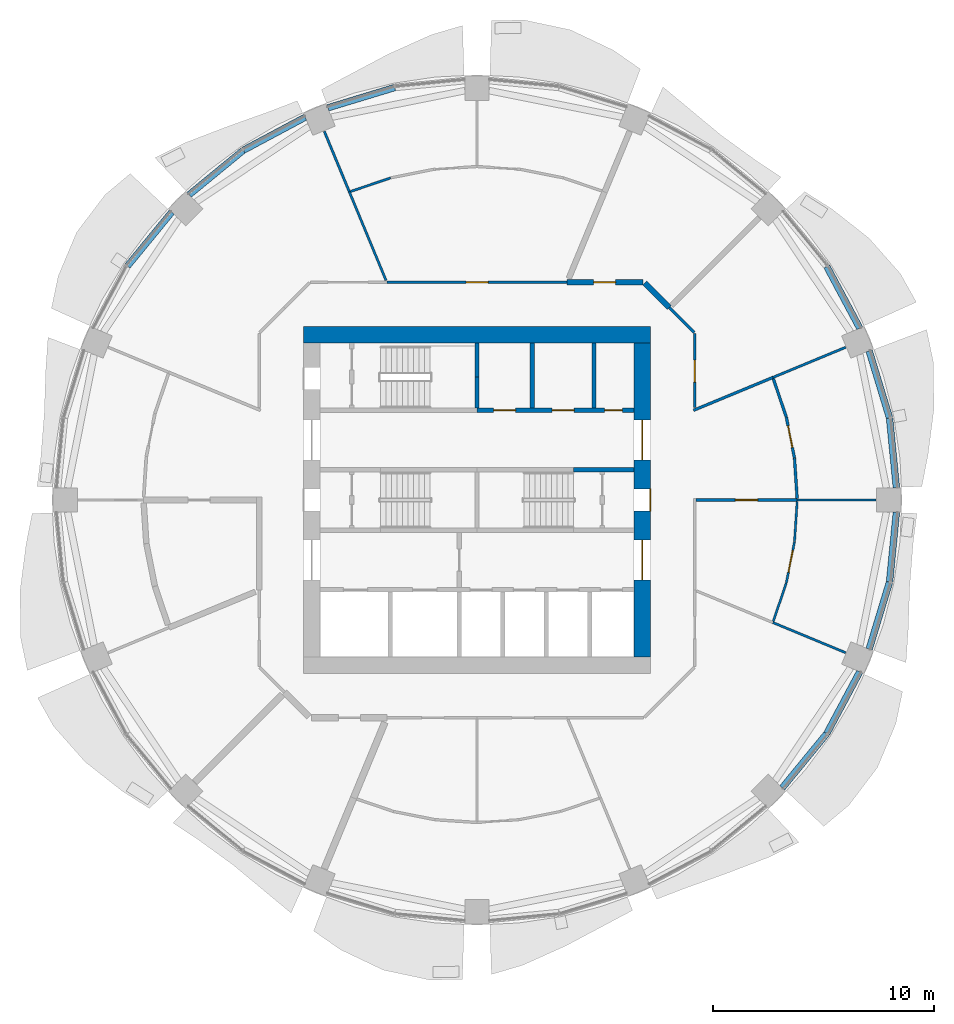
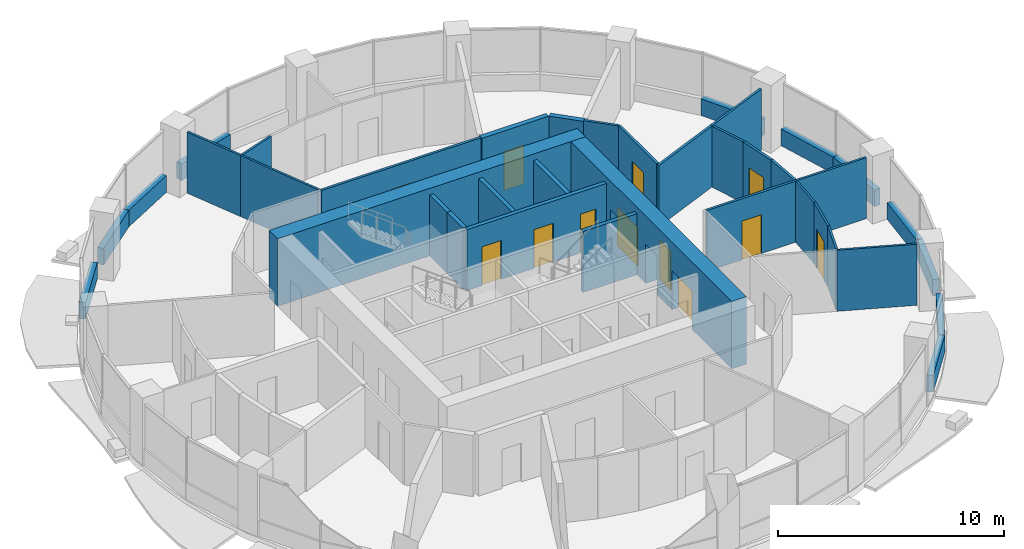
# One storey, part 9 of 14: 38 walls, 12 doors, 12 openings.
"""IFC4 building model written with IfcOpenShell, lengths in metres."""

from ifc_helpers import new_model, si_unit, direction, frame, frame_2d, origin, place, context, subcontext, project, spatial, rectangle, extrude, material, layer, layer_set, type_object, element, fill, save


model = new_model("IFC4")

# Units and contexts
model_context = context("Model", 3, precision=1e-05, world=origin(), true_north=direction((0.0, 1.0)))
body_context = subcontext(model_context, "Body", "Model", "MODEL_VIEW")
ifc_project = project(units=[si_unit("LENGTHUNIT", "METRE"), si_unit("AREAUNIT", "SQUARE_METRE"), si_unit("VOLUMEUNIT", "CUBIC_METRE"), si_unit("PLANEANGLEUNIT", "RADIAN"), si_unit("MASSUNIT", "GRAM", prefix="KILO")], contexts=[model_context])

# Site, building, storey
site_placement = place(None, origin())
site = spatial("IfcSite", under=ifc_project, at=site_placement, CompositionType="ELEMENT")
building_placement = place(site_placement, origin())
building = spatial("IfcBuilding", under=site, at=building_placement, Name="Polderwave Tower", CompositionType="ELEMENT")
storey_placement = place(building_placement, frame((0.0, 0.0, 101.949951171875)))
storey = spatial("IfcBuildingStorey", under=building, at=storey_placement, Name="L26", CompositionType="ELEMENT", Elevation=101.949951171875)

# Wall
ifc_material_1 = material(Name="Concrete C70/85", Category="concrete")
ifc_layer_1 = layer(ifc_material_1, 0.75)
ifc_layer_set_1 = layer_set([ifc_layer_1], Name="CORE WALL 750 C70/85")
wall_type_1 = type_object("IfcWallType", Name="CORE WALL 750 C70/85", PredefinedType="SHEAR", material=ifc_layer_set_1)
wall_1_placement = place(storey_placement, frame((-7.8740234375, 7.4990234375, 0.0), z_axis=(0.0, 0.0, 1.0), x_axis=(1.0, 0.0, 0.0)))
element("IfcWall", 1, at=wall_1_placement, inside=storey, type_object=wall_type_1, Name="ST-CORE-L26-N", PredefinedType="SHEAR", context=body_context, shape_type="SweptSolid", body=[
    extrude(rectangle(XDim=15.748046875, YDim=0.75, at=frame_2d((7.8740234375, 0.0))), origin(), (0.0, 0.0, 1.0), 3.650146484375),
])

# Wall, openings, doors
wall_2_placement = place(storey_placement, frame((7.4990234375, -7.1240234375, 0.0), z_axis=(0.0, 0.0, 1.0), x_axis=(0.0, 1.0, 0.0)))
wall_2 = element("IfcWall", 2, at=wall_2_placement, inside=storey, type_object=wall_type_1, Name="ST-CORE-L26-E", PredefinedType="SHEAR", context=body_context, shape_type="SweptSolid", body=[
    extrude(rectangle(XDim=14.248046875, YDim=0.75, at=frame_2d((7.1240234375, 0.0))), origin(), (0.0, 0.0, 1.0), 3.650146484375),
])
opening_1_placement = place(wall_2_placement, frame((6.6240234375, 0.0, 0.0)))
opening_1 = element("IfcOpeningElement", 3, at=opening_1_placement, cuts=wall_2, Name="Opening L26-D21", PredefinedType="OPENING", context=body_context, shape_type="SweptSolid", body=[
    extrude(rectangle(XDim=1.0, YDim=2.10009765625, at=frame_2d((0.5, 1.050048828125))), frame((0.0, 0.385009765625, 0.0), z_axis=(0.0, -1.0, 0.0), x_axis=(1.0, 0.0, 0.0)), (0.0, 0.0, 1.0), 0.77001953125),
])
opening_2_placement = place(wall_2_placement, frame((3.49951171875, 0.0, 0.0)))
opening_2 = element("IfcOpeningElement", 4, at=opening_2_placement, cuts=wall_2, Name="Opening L26-D22", PredefinedType="OPENING", context=body_context, shape_type="SweptSolid", body=[
    extrude(rectangle(XDim=1.800048828125, YDim=2.10009765625, at=frame_2d((0.89990234375, 1.050048828125))), frame((0.0, 0.385009765625, 0.0), z_axis=(0.0, -1.0, 0.0), x_axis=(1.0, 0.0, 0.0)), (0.0, 0.0, 1.0), 0.77001953125),
])
opening_3_placement = place(wall_2_placement, frame((8.948486328125, 0.0, 0.0)))
opening_3 = element("IfcOpeningElement", 5, at=opening_3_placement, cuts=wall_2, Name="Opening L26-D23", PredefinedType="OPENING", context=body_context, shape_type="SweptSolid", body=[
    extrude(rectangle(XDim=1.800048828125, YDim=2.10009765625, at=frame_2d((0.89990234375, 1.050048828125))), frame((0.0, 0.385009765625, 0.0), z_axis=(0.0, -1.0, 0.0), x_axis=(1.0, 0.0, 0.0)), (0.0, 0.0, 1.0), 0.77001953125),
])
ifc_material_2 = material(Name="Steel fire door", Category="steel")
door_type_1 = type_object("IfcDoorType", Name="Lobby entry door pair 1800", OperationType="DOUBLE_DOOR_SINGLE_SWING", PredefinedType="DOOR", material=ifc_material_2)
door_1_placement = place(opening_2_placement, frame((1.800048828125, 0.0, 0.0), z_axis=(0.0, 0.0, 1.0), x_axis=(-1.0, 0.0, 0.0)))
door_1 = element("IfcDoor", 6, at=door_1_placement, inside=storey, type_object=door_type_1, Name="South lobby entry door", OperationType="DOUBLE_DOOR_SINGLE_SWING", OverallHeight=2.10009765625, OverallWidth=1.800048828125, PredefinedType="DOOR", context=body_context, shape_type="SweptSolid", body=[
    extrude(rectangle(XDim=1.800048828125, YDim=2.10009765625, at=frame_2d((0.89990234375, 1.050048828125))), frame((0.0, 0.02490234375, 0.0), z_axis=(0.0, -1.0, 0.0), x_axis=(1.0, 0.0, 0.0)), (0.0, 0.0, 1.0), 0.050048828125),
])
fill(opening_2, door_1)
door_2_placement = place(opening_3_placement, frame((1.800048828125, 0.0, 0.0), z_axis=(0.0, 0.0, 1.0), x_axis=(-1.0, 0.0, 0.0)))
door_2 = element("IfcDoor", 7, at=door_2_placement, inside=storey, type_object=door_type_1, Name="North lobby entry door", OperationType="DOUBLE_DOOR_SINGLE_SWING", OverallHeight=2.10009765625, OverallWidth=1.800048828125, PredefinedType="DOOR", context=body_context, shape_type="SweptSolid", body=[
    extrude(rectangle(XDim=1.800048828125, YDim=2.10009765625, at=frame_2d((0.89990234375, 1.050048828125))), frame((0.0, 0.02490234375, 0.0), z_axis=(0.0, -1.0, 0.0), x_axis=(1.0, 0.0, 0.0)), (0.0, 0.0, 1.0), 0.050048828125),
])
fill(opening_3, door_2)
door_type_2 = type_object("IfcDoorType", Name="Stair door 1000", OperationType="NOTDEFINED", PredefinedType="DOOR", material=ifc_material_2)
door_3_placement = place(opening_1_placement, frame((1.0, 0.0, 0.0), z_axis=(0.0, 0.0, 1.0), x_axis=(-1.0, 0.0, 0.0)))
door_3 = element("IfcDoor", 8, at=door_3_placement, inside=storey, type_object=door_type_2, Name="Stair B entry door", OperationType="SINGLE_SWING_LEFT", OverallHeight=2.10009765625, OverallWidth=1.0, PredefinedType="DOOR", context=body_context, shape_type="SweptSolid", body=[
    extrude(rectangle(XDim=1.0, YDim=2.10009765625, at=frame_2d((0.5, 1.050048828125))), frame((0.0, 0.375, 0.0), z_axis=(0.0, -1.0, 0.0), x_axis=(1.0, 0.0, 0.0)), (0.0, 0.0, 1.0), 0.050048828125),
])
fill(opening_1, door_3)

# Walls
ifc_material_3 = material(Name="Concrete C50/60 (board-marked)", Category="concrete")
ifc_layer_2 = layer(ifc_material_3, 0.300048828125)
ifc_layer_set_2 = layer_set([ifc_layer_2], Name="Concrete spandrel upstand C50/60")
wall_type_2 = type_object("IfcWallType", Name="Concrete spandrel upstand C50/60", PredefinedType="SOLIDWALL", material=ifc_layer_set_2)
wall_3_placement = place(storey_placement, frame((19.014404296875, 0.56396484375, 0.0), z_axis=(0.0, 0.0, 1.0), x_axis=(-0.097849336863, 0.995201239587, 0.0)))
element("IfcWall", 9, at=wall_3_placement, inside=storey, type_object=wall_type_2, Name="Spandrel L26 1a", PredefinedType="SOLIDWALL", context=body_context, shape_type="SweptSolid", body=[
    extrude(rectangle(XDim=3.15625, YDim=0.300048828125, at=frame_2d((1.578125, 0.0))), origin(), (0.0, 0.0, 1.0), 0.900146484375),
])
wall_4_placement = place(storey_placement, frame((18.69970703125, 3.734375, 0.0), z_axis=(0.0, 0.0, 1.0), x_axis=(-0.290503096001, 0.956874051907, 0.0)))
element("IfcWall", 10, at=wall_4_placement, inside=storey, type_object=wall_type_2, Name="Spandrel L26 1b", PredefinedType="SOLIDWALL", context=body_context, shape_type="SweptSolid", body=[
    extrude(rectangle(XDim=3.157470703125, YDim=0.300048828125, at=frame_2d((1.57861328125, 0.0))), origin(), (0.0, 0.0, 1.0), 0.900146484375),
])
wall_5_placement = place(storey_placement, frame((17.350830078125, 7.797119140625, 0.0), z_axis=(0.0, 0.0, 1.0), x_axis=(-0.471238306932, 0.882005928597, 0.0)))
element("IfcWall", 11, at=wall_5_placement, inside=storey, type_object=wall_type_2, Name="Spandrel L26 2a", PredefinedType="SOLIDWALL", context=body_context, shape_type="SweptSolid", body=[
    extrude(rectangle(XDim=3.1572265625, YDim=0.300048828125, at=frame_2d((1.57861328125, 0.0))), origin(), (0.0, 0.0, 1.0), 0.900146484375),
])
wall_6_placement = place(storey_placement, frame((-3.734375, 18.69970703125, 0.0), z_axis=(0.0, 0.0, 1.0), x_axis=(-0.956874051907, -0.290503096001, 0.0)))
element("IfcWall", 12, at=wall_6_placement, inside=storey, type_object=wall_type_2, Name="Spandrel L26 5b", PredefinedType="SOLIDWALL", context=body_context, shape_type="SweptSolid", body=[
    extrude(rectangle(XDim=3.157470703125, YDim=0.300048828125, at=frame_2d((1.57861328125, 0.0))), origin(), (0.0, 0.0, 1.0), 0.900146484375),
])
for number, where, z_axis, x_axis, name in (
    (13, (-7.797119140625, 17.350830078125, 0.0), (0.0, 0.0, 1.0), (-0.882005928597, -0.471238306932, 0.0), "Spandrel L26 6a"),
    (14, (-10.606689453125, 15.846435546875, 0.0), (0.0, 0.0, 1.0), (-0.773022810229, -0.63437822698, 0.0), "Spandrel L26 6b"),
    (15, (-13.843505859375, 13.04736328125, 0.0), (0.0, 0.0, 1.0), (-0.63437822698, -0.773022810229, 0.0), "Spandrel L26 7a"),
    (16, (13.843505859375, -13.04736328125, 0.0), (0.0, 0.0, 1.0), (0.63437822698, 0.773022810229, 0.0), "Spandrel L26 15a"),
    (17, (15.863037109375, -10.581787109375, 0.0), (0.0, 0.0, 1.0), (0.471238306932, 0.882005928597, 0.0), "Spandrel L26 15b"),
):
    element("IfcWall", number, at=place(storey_placement, frame(where, z_axis=z_axis, x_axis=x_axis)), inside=storey, type_object=wall_type_2, Name=name, PredefinedType="SOLIDWALL", context=body_context, shape_type="SweptSolid", body=[
        extrude(rectangle(XDim=3.1572265625, YDim=0.300048828125, at=frame_2d((1.57861328125, 0.0))), origin(), (0.0, 0.0, 1.0), 0.900146484375),
    ])
wall_7_placement = place(storey_placement, frame((17.782470703125, -6.755615234375, 0.0), z_axis=(0.0, 0.0, 1.0), x_axis=(0.290503096001, 0.956874051907, 0.0)))
element("IfcWall", 18, at=wall_7_placement, inside=storey, type_object=wall_type_2, Name="Spandrel L26 16a", PredefinedType="SOLIDWALL", context=body_context, shape_type="SweptSolid", body=[
    extrude(rectangle(XDim=3.157470703125, YDim=0.300048828125, at=frame_2d((1.57861328125, 0.0))), origin(), (0.0, 0.0, 1.0), 0.900146484375),
])
wall_8_placement = place(storey_placement, frame((18.70556640625, -3.705078125, 0.0), z_axis=(0.0, 0.0, 1.0), x_axis=(0.097849336863, 0.995201239587, 0.0)))
element("IfcWall", 19, at=wall_8_placement, inside=storey, type_object=wall_type_2, Name="Spandrel L26 16b", PredefinedType="SOLIDWALL", context=body_context, shape_type="SweptSolid", body=[
    extrude(rectangle(XDim=3.15625, YDim=0.300048828125, at=frame_2d((1.578125, 0.0))), origin(), (0.0, 0.0, 1.0), 0.900146484375),
])
ifc_material_4 = material(Name="Gypsum board partition")
ifc_layer_3 = layer(ifc_material_4, 0.199951171875)
ifc_layer_set_3 = layer_set([ifc_layer_3], Name="Core room partition 200")
wall_type_3 = type_object("IfcWallType", Name="Core room partition 200", PredefinedType="PARTITIONING", material=ifc_layer_set_3)
wall_9_placement = place(storey_placement, frame((2.508544921875, 4.174072265625, 0.0), z_axis=(0.0, 0.0, 1.0), x_axis=(0.0, 1.0, 0.0)))
element("IfcWall", 20, at=wall_9_placement, inside=storey, type_object=wall_type_3, Name="L26 room partition N1", PredefinedType="PARTITIONING", context=body_context, shape_type="SweptSolid", body=[
    extrude(rectangle(XDim=2.949951171875, YDim=0.199951171875, at=frame_2d((1.47509765625, 0.0))), origin(), (0.0, 0.0, 1.0), 3.300048828125),
])

# Wall, openings, doors
ifc_material_5 = material(Name="Concrete C50/60", Category="concrete")
ifc_layer_4 = layer(ifc_material_5, 0.199951171875)
ifc_layer_set_4 = layer_set([ifc_layer_4], Name="Core web wall 200")
wall_type_4 = type_object("IfcWallType", Name="Core web wall 200", PredefinedType="SHEAR", material=ifc_layer_set_4)
wall_10_placement = place(storey_placement, frame((0.0, 4.073974609375, 0.0), z_axis=(0.0, 0.0, 1.0), x_axis=(1.0, 0.0, 0.0)))
wall_10 = element("IfcWall", 21, at=wall_10_placement, inside=storey, type_object=wall_type_4, Name="L26 north front wall 2", PredefinedType="SHEAR", context=body_context, shape_type="SweptSolid", body=[
    extrude(rectangle(XDim=7.1240234375, YDim=0.199951171875, at=frame_2d((3.56201171875, 0.0))), origin(), (0.0, 0.0, 1.0), 3.300048828125),
])
opening_4_placement = place(wall_10_placement, frame((0.754150390625, 0.0, 0.0)))
opening_4 = element("IfcOpeningElement", 22, at=opening_4_placement, cuts=wall_10, Name="Opening L26-D14", PredefinedType="OPENING", context=body_context, shape_type="SweptSolid", body=[
    extrude(rectangle(XDim=1.0, YDim=2.10009765625, at=frame_2d((0.5, 1.050048828125))), frame((0.0, 0.10986328125, 0.0), z_axis=(0.0, -1.0, 0.0), x_axis=(1.0, 0.0, 0.0)), (0.0, 0.0, 1.0), 0.219970703125),
])
opening_5_placement = place(wall_10_placement, frame((3.406982421875, 0.0, 0.0)))
opening_5 = element("IfcOpeningElement", 23, at=opening_5_placement, cuts=wall_10, Name="Opening L26-D15", PredefinedType="OPENING", context=body_context, shape_type="SweptSolid", body=[
    extrude(rectangle(XDim=1.0, YDim=2.10009765625, at=frame_2d((0.5, 1.050048828125))), frame((0.0, 0.10986328125, 0.0), z_axis=(0.0, -1.0, 0.0), x_axis=(1.0, 0.0, 0.0)), (0.0, 0.0, 1.0), 0.219970703125),
])
opening_6_placement = place(wall_10_placement, frame((5.789794921875, 0.0, 0.0)))
opening_6 = element("IfcOpeningElement", 24, at=opening_6_placement, cuts=wall_10, Name="Opening L26-D16", PredefinedType="OPENING", context=body_context, shape_type="SweptSolid", body=[
    extrude(rectangle(XDim=0.800048828125, YDim=2.10009765625, at=frame_2d((0.39990234375, 1.050048828125))), frame((0.0, 0.10986328125, 0.0), z_axis=(0.0, -1.0, 0.0), x_axis=(1.0, 0.0, 0.0)), (0.0, 0.0, 1.0), 0.219970703125),
])
ifc_material_6 = material(Name="Timber door leaf", Category="wood")
door_type_3 = type_object("IfcDoorType", Name="Accessible WC door 1000", OperationType="NOTDEFINED", PredefinedType="DOOR", material=ifc_material_6)
door_4_placement = place(opening_4_placement, origin())
door_4 = element("IfcDoor", 25, at=door_4_placement, inside=storey, type_object=door_type_3, Name="Accessible WC door", OperationType="SINGLE_SWING_LEFT", OverallHeight=2.10009765625, OverallWidth=1.0, PredefinedType="DOOR", context=body_context, shape_type="SweptSolid", body=[
    extrude(rectangle(XDim=1.0, YDim=2.10009765625, at=frame_2d((0.5, 1.050048828125))), frame((0.0, 0.02490234375, 0.0), z_axis=(0.0, -1.0, 0.0), x_axis=(1.0, 0.0, 0.0)), (0.0, 0.0, 1.0), 0.050048828125),
])
fill(opening_4, door_4)
door_type_4 = type_object("IfcDoorType", Name="Riser door 800", OperationType="NOTDEFINED", PredefinedType="DOOR", material=ifc_material_2)
door_5_placement = place(opening_6_placement, frame((0.800048828125, 0.0, 0.0), z_axis=(0.0, 0.0, 1.0), x_axis=(-1.0, 0.0, 0.0)))
door_5 = element("IfcDoor", 26, at=door_5_placement, inside=storey, type_object=door_type_4, Name="Riser door", OperationType="SINGLE_SWING_LEFT", OverallHeight=2.10009765625, OverallWidth=0.800048828125, PredefinedType="DOOR", context=body_context, shape_type="SweptSolid", body=[
    extrude(rectangle(XDim=0.800048828125, YDim=2.10009765625, at=frame_2d((0.39990234375, 1.050048828125))), frame((0.0, 0.02490234375, 0.0), z_axis=(0.0, -1.0, 0.0), x_axis=(1.0, 0.0, 0.0)), (0.0, 0.0, 1.0), 0.050048828125),
])
fill(opening_6, door_5)
door_type_5 = type_object("IfcDoorType", Name="Room door 1000", OperationType="NOTDEFINED", PredefinedType="DOOR", material=ifc_material_6)
door_6_placement = place(opening_5_placement, origin())
door_6 = element("IfcDoor", 27, at=door_6_placement, inside=storey, type_object=door_type_5, Name="Nutrient dosing room door", OperationType="SINGLE_SWING_RIGHT", OverallHeight=2.10009765625, OverallWidth=1.0, PredefinedType="DOOR", context=body_context, shape_type="SweptSolid", body=[
    extrude(rectangle(XDim=1.0, YDim=2.10009765625, at=frame_2d((0.5, 1.050048828125))), frame((0.0, 0.02490234375, 0.0), z_axis=(0.0, -1.0, 0.0), x_axis=(1.0, 0.0, 0.0)), (0.0, 0.0, 1.0), 0.050048828125),
])
fill(opening_5, door_6)

# Walls
wall_11_placement = place(storey_placement, frame((4.3740234375, 1.375, 0.0), z_axis=(0.0, 0.0, 1.0), x_axis=(1.0, 0.0, 0.0)))
element("IfcWall", 28, at=wall_11_placement, inside=storey, type_object=wall_type_4, Name="L26 north stair wall 4", PredefinedType="SHEAR", context=body_context, shape_type="SweptSolid", body=[
    extrude(rectangle(XDim=2.75, YDim=0.199951171875, at=frame_2d((1.375, 0.0))), origin(), (0.0, 0.0, 1.0), 3.300048828125),
])
wall_12_placement = place(storey_placement, frame((0.0, 4.174072265625, 0.0), z_axis=(0.0, 0.0, 1.0), x_axis=(0.0, 1.0, 0.0)))
element("IfcWall", 29, at=wall_12_placement, inside=storey, type_object=wall_type_4, Name="L26 stair C wall south", PredefinedType="SHEAR", context=body_context, shape_type="SweptSolid", body=[
    extrude(rectangle(XDim=1.39990234375, YDim=0.199951171875, at=frame_2d((0.699951171875, 0.0))), origin(), (0.0, 0.0, 1.0), 3.300048828125),
])
wall_13_placement = place(storey_placement, frame((0.0, 5.573974609375, 0.0), z_axis=(0.0, 0.0, 1.0), x_axis=(0.0, 1.0, 0.0)))
element("IfcWall", 30, at=wall_13_placement, inside=storey, type_object=wall_type_4, Name="L26 stair C wall north", PredefinedType="SHEAR", context=body_context, shape_type="SweptSolid", body=[
    extrude(rectangle(XDim=1.550048828125, YDim=0.199951171875, at=frame_2d((0.77490234375, 0.0))), origin(), (0.0, 0.0, 1.0), 3.300048828125),
])
ifc_material_7 = material(Name="Fire-resisting board on steel studs", Category="steel")
ifc_layer_5 = layer(ifc_material_7, 0.125)
ifc_layer_set_5 = layer_set([ifc_layer_5], Name="Corridor wall 125 mm EI 60")
wall_type_5 = type_object("IfcWallType", Name="Corridor wall 125 mm EI 60", PredefinedType="PARTITIONING", material=ifc_layer_set_5)
wall_14_placement = place(storey_placement, frame((8.722412109375, 8.722412109375, 0.0), z_axis=(0.0, 0.0, 1.0), x_axis=(0.70718294931, -0.707030604857, 0.0)))
element("IfcWall", 31, at=wall_14_placement, inside=storey, type_object=wall_type_5, Name="IN-L26-W001", PredefinedType="PARTITIONING", context=body_context, shape_type="SweptSolid", body=[
    extrude(rectangle(XDim=1.6025390625, YDim=0.125, at=frame_2d((0.80126953125, 0.0))), origin(), (0.0, 0.0, 1.0), 3.300048828125),
])

# Wall, opening, door
wall_15_placement = place(storey_placement, frame((9.8740234375, 7.545166015625, 0.0), z_axis=(0.0, 0.0, 1.0), x_axis=(0.0, -1.0, 0.0)))
wall_15 = element("IfcWall", 32, at=wall_15_placement, inside=storey, type_object=wall_type_5, Name="IN-L26-W002", PredefinedType="PARTITIONING", context=body_context, shape_type="SweptSolid", body=[
    extrude(rectangle(XDim=3.36181640625, YDim=0.125, at=frame_2d((1.680908203125, 0.0))), origin(), (0.0, 0.0, 1.0), 3.300048828125),
])
opening_7_placement = place(wall_15_placement, frame((1.199951171875, 0.0, 0.0)))
opening_7 = element("IfcOpeningElement", 33, at=opening_7_placement, cuts=wall_15, Name="Opening L26-D50", PredefinedType="OPENING", context=body_context, shape_type="SweptSolid", body=[
    extrude(rectangle(XDim=1.0, YDim=2.10009765625, at=frame_2d((0.5, 1.050048828125))), frame((0.0, 0.072509765625, 0.0), z_axis=(0.0, -1.0, 0.0), x_axis=(1.0, 0.0, 0.0)), (0.0, 0.0, 1.0), 0.14501953125),
])
ifc_material_8 = material(Name="Timber fire door leaf", Category="wood")
door_type_6 = type_object("IfcDoorType", Name="Fire door FD30S 1000 x 2100", OperationType="NOTDEFINED", PredefinedType="DOOR", material=ifc_material_8)
door_7_placement = place(opening_7_placement, origin())
door_7 = element("IfcDoor", 34, at=door_7_placement, inside=storey, type_object=door_type_6, Name="Door L26-D50", OperationType="SINGLE_SWING_RIGHT", OverallHeight=2.10009765625, OverallWidth=1.0, PredefinedType="DOOR", context=body_context, shape_type="SweptSolid", body=[
    extrude(rectangle(XDim=1.0, YDim=2.10009765625, at=frame_2d((0.5, 1.050048828125))), frame((0.0, 0.02490234375, 0.0), z_axis=(0.0, -1.0, 0.0), x_axis=(1.0, 0.0, 0.0)), (0.0, 0.0, 1.0), 0.050048828125),
])
fill(opening_7, door_7)

wall_16_placement = place(storey_placement, frame((-4.08984375, 9.8740234375, 0.0), z_axis=(0.0, 0.0, 1.0), x_axis=(1.0, 0.0, 0.0)))
wall_16 = element("IfcWall", 35, at=wall_16_placement, inside=storey, type_object=wall_type_5, Name="IN-L26-W008", PredefinedType="PARTITIONING", context=body_context, shape_type="SweptSolid", body=[
    extrude(rectangle(XDim=8.1796875, YDim=0.125, at=frame_2d((4.08984375, 0.0))), origin(), (0.0, 0.0, 1.0), 3.300048828125),
])
opening_8_placement = place(wall_16_placement, frame((3.60009765625, 0.0, 0.0)))
opening_8 = element("IfcOpeningElement", 36, at=opening_8_placement, cuts=wall_16, Name="Opening L26-D53", PredefinedType="OPENING", context=body_context, shape_type="SweptSolid", body=[
    extrude(rectangle(XDim=1.0, YDim=2.10009765625, at=frame_2d((0.5, 1.050048828125))), frame((0.0, 0.072509765625, 0.0), z_axis=(0.0, -1.0, 0.0), x_axis=(1.0, 0.0, 0.0)), (0.0, 0.0, 1.0), 0.14501953125),
])
door_8_placement = place(opening_8_placement, origin())
door_8 = element("IfcDoor", 37, at=door_8_placement, inside=storey, type_object=door_type_6, Name="Door L26-D53", OperationType="SINGLE_SWING_RIGHT", OverallHeight=2.10009765625, OverallWidth=1.0, PredefinedType="DOOR", context=body_context, shape_type="SweptSolid", body=[
    extrude(rectangle(XDim=1.0, YDim=2.10009765625, at=frame_2d((0.5, 1.050048828125))), frame((0.0, 0.02490234375, 0.0), z_axis=(0.0, -1.0, 0.0), x_axis=(1.0, 0.0, 0.0)), (0.0, 0.0, 1.0), 0.050048828125),
])
fill(opening_8, door_8)

# Wall
wall_17_placement = place(storey_placement, frame((14.02392578125, 3.761962890625, 0.0), z_axis=(0.0, 0.0, 1.0), x_axis=(-0.321390424162, 0.946946775303, 0.0)))
element("IfcWall", 38, at=wall_17_placement, inside=storey, type_object=wall_type_5, Name="IN-L26-W022", PredefinedType="PARTITIONING", context=body_context, shape_type="SweptSolid", body=[
    extrude(rectangle(XDim=1.828369140625, YDim=0.125, at=frame_2d((0.9140625, 0.0))), origin(), (0.0, 0.0, 1.0), 3.300048828125),
])

# Wall, opening, door
wall_18_placement = place(storey_placement, frame((14.02587890625, 3.754150390625, 0.0), z_axis=(0.0, 0.0, 1.0), x_axis=(0.195172749159, -0.980768881024, 0.0)))
wall_18 = element("IfcWall", 39, at=wall_18_placement, inside=storey, type_object=wall_type_5, Name="IN-L26-W023", PredefinedType="PARTITIONING", context=body_context, shape_type="SweptSolid", body=[
    extrude(rectangle(XDim=1.891357421875, YDim=0.125, at=frame_2d((0.94580078125, 0.0))), origin(), (0.0, 0.0, 1.0), 3.300048828125),
])
opening_9_placement = place(wall_18_placement, frame((0.39990234375, 0.0, 0.0)))
opening_9 = element("IfcOpeningElement", 40, at=opening_9_placement, cuts=wall_18, Name="Opening L26-D59", PredefinedType="OPENING", context=body_context, shape_type="SweptSolid", body=[
    extrude(rectangle(XDim=1.0, YDim=2.10009765625, at=frame_2d((0.5, 1.050048828125))), frame((0.0, 0.072509765625, 0.0), z_axis=(0.0, -1.0, 0.0), x_axis=(1.0, 0.0, 0.0)), (0.0, 0.0, 1.0), 0.14501953125),
])
door_9_placement = place(opening_9_placement, origin())
door_9 = element("IfcDoor", 41, at=door_9_placement, inside=storey, type_object=door_type_6, Name="Door L26-D59", OperationType="SINGLE_SWING_LEFT", OverallHeight=2.10009765625, OverallWidth=1.0, PredefinedType="DOOR", context=body_context, shape_type="SweptSolid", body=[
    extrude(rectangle(XDim=1.0, YDim=2.10009765625, at=frame_2d((0.5, 1.050048828125))), frame((0.0, 0.02490234375, 0.0), z_axis=(0.0, -1.0, 0.0), x_axis=(1.0, 0.0, 0.0)), (0.0, 0.0, 1.0), 0.050048828125),
])
fill(opening_9, door_9)

# Walls
wall_19_placement = place(storey_placement, frame((14.515625, 0.066650390625, 0.0), z_axis=(0.0, 0.0, 1.0), x_axis=(-0.065428883326, 0.997857234892, 0.0)))
element("IfcWall", 42, at=wall_19_placement, inside=storey, type_object=wall_type_5, Name="IN-L26-W024", PredefinedType="PARTITIONING", context=body_context, shape_type="SweptSolid", body=[
    extrude(rectangle(XDim=1.828369140625, YDim=0.125, at=frame_2d((0.9140625, 0.0))), origin(), (0.0, 0.0, 1.0), 3.300048828125),
])
wall_20_placement = place(storey_placement, frame((9.81640625, 4.06591796875, 0.0), z_axis=(0.0, 0.0, 1.0), x_axis=(0.923881608957, 0.382678419342, 0.0)))
element("IfcWall", 43, at=wall_20_placement, inside=storey, type_object=wall_type_5, Name="IN-L26-W027", PredefinedType="PARTITIONING", context=body_context, shape_type="SweptSolid", body=[
    extrude(rectangle(XDim=3.894775390625, YDim=0.125, at=frame_2d((1.947265625, 0.0))), origin(), (0.0, 0.0, 1.0), 3.300048828125),
])

# Wall, opening, door
wall_21_placement = place(storey_placement, frame((14.52001953125, 0.0, 0.0), z_axis=(0.0, 0.0, 1.0), x_axis=(-1.0, 0.0, 0.0)))
wall_21 = element("IfcWall", 44, at=wall_21_placement, inside=storey, type_object=wall_type_5, Name="IN-L26-W028", PredefinedType="PARTITIONING", context=body_context, shape_type="SweptSolid", body=[
    extrude(rectangle(XDim=4.58349609375, YDim=0.125, at=frame_2d((2.291748046875, 0.0))), origin(), (0.0, 0.0, 1.0), 3.300048828125),
])
opening_10_placement = place(wall_21_placement, frame((1.800048828125, 0.0, 0.0)))
opening_10 = element("IfcOpeningElement", 45, at=opening_10_placement, cuts=wall_21, Name="Opening L26-D60", PredefinedType="OPENING", context=body_context, shape_type="SweptSolid", body=[
    extrude(rectangle(XDim=1.0, YDim=2.10009765625, at=frame_2d((0.5, 1.050048828125))), frame((0.0, 0.072509765625, 0.0), z_axis=(0.0, -1.0, 0.0), x_axis=(1.0, 0.0, 0.0)), (0.0, 0.0, 1.0), 0.14501953125),
])
door_10_placement = place(opening_10_placement, origin())
door_10 = element("IfcDoor", 46, at=door_10_placement, inside=storey, type_object=door_type_6, Name="Door L26-D60", OperationType="SINGLE_SWING_RIGHT", OverallHeight=2.10009765625, OverallWidth=1.0, PredefinedType="DOOR", context=body_context, shape_type="SweptSolid", body=[
    extrude(rectangle(XDim=1.0, YDim=2.10009765625, at=frame_2d((0.5, 1.050048828125))), frame((0.0, 0.02490234375, 0.0), z_axis=(0.0, -1.0, 0.0), x_axis=(1.0, 0.0, 0.0)), (0.0, 0.0, 1.0), 0.050048828125),
])
fill(opening_10, door_10)

# Wall
ifc_material_9 = material(Name="Plasterboard on steel studs", Category="steel")
ifc_layer_6 = layer(ifc_material_9, 0.10009765625)
ifc_layer_set_6 = layer_set([ifc_layer_6], Name="Partition 100 mm plasterboard on steel studs")
wall_type_6 = type_object("IfcWallType", Name="Partition 100 mm plasterboard on steel studs", PredefinedType="PARTITIONING", material=ifc_layer_set_6)
wall_22_placement = place(storey_placement, frame((14.024169921875, -3.76123046875, 0.0), z_axis=(0.0, 0.0, 1.0), x_axis=(-0.32147693474, -0.946917409508, 0.0)))
element("IfcWall", 47, at=wall_22_placement, inside=storey, type_object=wall_type_6, Name="IN-L26-W067", PredefinedType="PARTITIONING", context=body_context, shape_type="SweptSolid", body=[
    extrude(rectangle(XDim=1.840087890625, YDim=0.10009765625, at=frame_2d((0.919921875, 0.0))), origin(), (0.0, 0.0, 1.0), 3.300048828125),
])

# Wall, opening, door
wall_23_placement = place(storey_placement, frame((14.395263671875, -1.8984375, 0.0), z_axis=(0.0, 0.0, 1.0), x_axis=(-0.195148680089, -0.980773670456, 0.0)))
wall_23 = element("IfcWall", 48, at=wall_23_placement, inside=storey, type_object=wall_type_6, Name="IN-L26-W068", PredefinedType="PARTITIONING", context=body_context, shape_type="SweptSolid", body=[
    extrude(rectangle(XDim=1.892822265625, YDim=0.10009765625, at=frame_2d((0.9462890625, 0.0))), origin(), (0.0, 0.0, 1.0), 3.300048828125),
])
opening_11_placement = place(wall_23_placement, frame((0.39990234375, 0.0, 0.0)))
opening_11 = element("IfcOpeningElement", 49, at=opening_11_placement, cuts=wall_23, Name="Opening L26-D67", PredefinedType="OPENING", context=body_context, shape_type="SweptSolid", body=[
    extrude(rectangle(XDim=1.0, YDim=2.10009765625, at=frame_2d((0.5, 1.050048828125))), frame((0.0, 0.06005859375, 0.0), z_axis=(0.0, -1.0, 0.0), x_axis=(1.0, 0.0, 0.0)), (0.0, 0.0, 1.0), 0.1201171875),
])
ifc_material_10 = material(Name="Timber veneer door leaf", Category="wood")
door_type_7 = type_object("IfcDoorType", Name="Single door 1000 x 2100", OperationType="NOTDEFINED", PredefinedType="DOOR", material=ifc_material_10)
door_11_placement = place(opening_11_placement, origin())
door_11 = element("IfcDoor", 50, at=door_11_placement, inside=storey, type_object=door_type_7, Name="Door L26-D67", OperationType="SINGLE_SWING_LEFT", OverallHeight=2.10009765625, OverallWidth=1.0, PredefinedType="DOOR", context=body_context, shape_type="SweptSolid", body=[
    extrude(rectangle(XDim=1.0, YDim=2.10009765625, at=frame_2d((0.5, 1.050048828125))), frame((0.0, 0.02490234375, 0.0), z_axis=(0.0, -1.0, 0.0), x_axis=(1.0, 0.0, 0.0)), (0.0, 0.0, 1.0), 0.050048828125),
])
fill(opening_11, door_11)

# Walls
wall_24_placement = place(storey_placement, frame((14.515625, -0.06591796875, 0.0), z_axis=(0.0, 0.0, 1.0), x_axis=(-0.065376617685, -0.997860660543, 0.0)))
element("IfcWall", 51, at=wall_24_placement, inside=storey, type_object=wall_type_6, Name="IN-L26-W069", PredefinedType="PARTITIONING", context=body_context, shape_type="SweptSolid", body=[
    extrude(rectangle(XDim=1.829833984375, YDim=0.10009765625, at=frame_2d((0.9150390625, 0.0))), origin(), (0.0, 0.0, 1.0), 3.300048828125),
])
ifc_material_11 = material(Name="Moisture-resistant board on steel studs, tiled", Category="steel")
ifc_layer_7 = layer(ifc_material_11, 0.10498046875)
ifc_layer_set_7 = layer_set([ifc_layer_7], Name="Partition 105 mm wet room board and tile")
wall_type_7 = type_object("IfcWallType", Name="Partition 105 mm wet room board and tile", PredefinedType="PARTITIONING", material=ifc_layer_set_7)
wall_25_placement = place(storey_placement, frame((-5.730712890625, 13.98779296875, 0.0), z_axis=(0.0, 0.0, 1.0), x_axis=(0.946910137099, 0.321498354986, 0.0)))
element("IfcWall", 52, at=wall_25_placement, inside=storey, type_object=wall_type_7, Name="IN-L26-W036", PredefinedType="PARTITIONING", context=body_context, shape_type="SweptSolid", body=[
    extrude(rectangle(XDim=1.916015625, YDim=0.10498046875, at=frame_2d((0.9580078125, 0.0))), origin(), (0.0, 0.0, 1.0), 3.300048828125),
])
wall_26_placement = place(storey_placement, frame((-4.1240234375, 9.95654296875, 0.0), z_axis=(0.0, 0.0, 1.0), x_axis=(-0.382702629741, 0.923871580464, 0.0)))
element("IfcWall", 53, at=wall_26_placement, inside=storey, type_object=wall_type_7, Name="IN-L26-W039", PredefinedType="PARTITIONING", context=body_context, shape_type="SweptSolid", body=[
    extrude(rectangle(XDim=4.343017578125, YDim=0.10498046875, at=frame_2d((2.17138671875, 0.0))), origin(), (0.0, 0.0, 1.0), 3.300048828125),
])
wall_27_placement = place(storey_placement, frame((13.414794921875, -5.556396484375, 0.0), z_axis=(0.0, 0.0, 1.0), x_axis=(0.923870126847, -0.382706138858, 0.0)))
element("IfcWall", 54, at=wall_27_placement, inside=storey, type_object=wall_type_7, Name="IN-L26-W066", PredefinedType="PARTITIONING", context=body_context, shape_type="SweptSolid", body=[
    extrude(rectangle(XDim=3.56982421875, YDim=0.10498046875, at=frame_2d((1.784912109375, 0.0))), origin(), (0.0, 0.0, 1.0), 3.300048828125),
])
ifc_material_12 = material(Name="Acoustic double plasterboard on steel studs", Category="steel")
ifc_layer_8 = layer(ifc_material_12, 0.110107421875)
ifc_layer_set_8 = layer_set([ifc_layer_8], Name="Partition 110 mm acoustic double board")
wall_type_8 = type_object("IfcWallType", Name="Partition 110 mm acoustic double board", PredefinedType="PARTITIONING", material=ifc_layer_set_8)
wall_28_placement = place(storey_placement, frame((13.414794921875, 5.556396484375, 0.0), z_axis=(0.0, 0.0, 1.0), x_axis=(0.923870126847, 0.382706138858, 0.0)))
element("IfcWall", 55, at=wall_28_placement, inside=storey, type_object=wall_type_8, Name="IN-L26-W025", PredefinedType="PARTITIONING", context=body_context, shape_type="SweptSolid", body=[
    extrude(rectangle(XDim=3.56982421875, YDim=0.110107421875, at=frame_2d((1.784912109375, 0.0))), origin(), (0.0, 0.0, 1.0), 3.300048828125),
])
wall_29_placement = place(storey_placement, frame((18.090087890625, 0.0, 0.0), z_axis=(0.0, 0.0, 1.0), x_axis=(-1.0, 0.0, 0.0)))
element("IfcWall", 56, at=wall_29_placement, inside=storey, type_object=wall_type_8, Name="IN-L26-W026", PredefinedType="PARTITIONING", context=body_context, shape_type="SweptSolid", body=[
    extrude(rectangle(XDim=3.570068359375, YDim=0.110107421875, at=frame_2d((1.78515625, 0.0))), origin(), (0.0, 0.0, 1.0), 3.300048828125),
])
wall_30_placement = place(storey_placement, frame((-5.7861328125, 13.968994140625, 0.0), z_axis=(0.0, 0.0, 1.0), x_axis=(-0.382659139036, 0.923889594764, 0.0)))
element("IfcWall", 57, at=wall_30_placement, inside=storey, type_object=wall_type_8, Name="IN-L26-W040", PredefinedType="PARTITIONING", context=body_context, shape_type="SweptSolid", body=[
    extrude(rectangle(XDim=2.969970703125, YDim=0.110107421875, at=frame_2d((1.48486328125, 0.0))), origin(), (0.0, 0.0, 1.0), 3.300048828125),
])

# Wall, opening, door
ifc_material_13 = material(Name="Fire-resisting board on steel studs, mineral wool", Category="steel")
ifc_layer_9 = layer(ifc_material_13, 0.25)
ifc_layer_set_9 = layer_set([ifc_layer_9], Name="Plant room wall 250 mm EI 120")
wall_type_9 = type_object("IfcWallType", Name="Plant room wall 250 mm EI 120", PredefinedType="PARTITIONING", material=ifc_layer_set_9)
wall_31_placement = place(storey_placement, frame((4.08984375, 9.8740234375, 0.0), z_axis=(0.0, 0.0, 1.0), x_axis=(1.0, 0.0, 0.0)))
wall_31 = element("IfcWall", 58, at=wall_31_placement, inside=storey, type_object=wall_type_9, Name="IN-L26-W006", PredefinedType="PARTITIONING", context=body_context, shape_type="SweptSolid", body=[
    extrude(rectangle(XDim=3.429443359375, YDim=0.25, at=frame_2d((1.71484375, 0.0))), origin(), (0.0, 0.0, 1.0), 3.300048828125),
])
opening_12_placement = place(wall_31_placement, frame((1.199951171875, 0.0, 0.0)))
opening_12 = element("IfcOpeningElement", 59, at=opening_12_placement, cuts=wall_31, Name="Opening L26-D52", PredefinedType="OPENING", context=body_context, shape_type="SweptSolid", body=[
    extrude(rectangle(XDim=1.0, YDim=2.10009765625, at=frame_2d((0.5, 1.050048828125))), frame((0.0, 0.135009765625, 0.0), z_axis=(0.0, -1.0, 0.0), x_axis=(1.0, 0.0, 0.0)), (0.0, 0.0, 1.0), 0.27001953125),
])
ifc_material_14 = material(Name="Steel plant door leaf", Category="steel")
door_type_8 = type_object("IfcDoorType", Name="Plant door FD60 1000 x 2100 steel", OperationType="NOTDEFINED", PredefinedType="DOOR", material=ifc_material_14)
door_12_placement = place(opening_12_placement, origin())
door_12 = element("IfcDoor", 60, at=door_12_placement, inside=storey, type_object=door_type_8, Name="Door L26-D52", OperationType="SINGLE_SWING_LEFT", OverallHeight=2.10009765625, OverallWidth=1.0, PredefinedType="DOOR", context=body_context, shape_type="SweptSolid", body=[
    extrude(rectangle(XDim=1.0, YDim=2.10009765625, at=frame_2d((0.5, 1.050048828125))), frame((0.0, 0.02490234375, 0.0), z_axis=(0.0, -1.0, 0.0), x_axis=(1.0, 0.0, 0.0)), (0.0, 0.0, 1.0), 0.050048828125),
])
fill(opening_12, door_12)

# Walls
wall_32_placement = place(storey_placement, frame((7.607666015625, 9.83740234375, 0.0), z_axis=(0.0, 0.0, 1.0), x_axis=(0.707029353672, -0.707184200224, 0.0)))
element("IfcWall", 61, at=wall_32_placement, inside=storey, type_object=wall_type_9, Name="IN-L26-W007", PredefinedType="PARTITIONING", context=body_context, shape_type="SweptSolid", body=[
    extrude(rectangle(XDim=1.57666015625, YDim=0.25, at=frame_2d((0.788330078125, 0.0))), origin(), (0.0, 0.0, 1.0), 3.300048828125),
])
ifc_material_15 = material(Name="Gypsum shaft wall system")
ifc_layer_10 = layer(ifc_material_15, 0.199951171875)
ifc_layer_set_10 = layer_set([ifc_layer_10], Name="Shaft wall 200")
wall_type_10 = type_object("IfcWallType", Name="Shaft wall 200", PredefinedType="PARTITIONING", material=ifc_layer_set_10)
wall_33_placement = place(storey_placement, frame((5.305419921875, 4.174072265625, 0.0), z_axis=(0.0, 0.0, 1.0), x_axis=(0.0, 1.0, 0.0)))
element("IfcWall", 62, at=wall_33_placement, inside=storey, type_object=wall_type_10, Name="L26 riser wall", PredefinedType="PARTITIONING", context=body_context, shape_type="SweptSolid", body=[
    extrude(rectangle(XDim=2.949951171875, YDim=0.199951171875, at=frame_2d((1.47509765625, 0.0))), origin(), (0.0, 0.0, 1.0), 3.300048828125),
])

save(model, "model.ifc")
